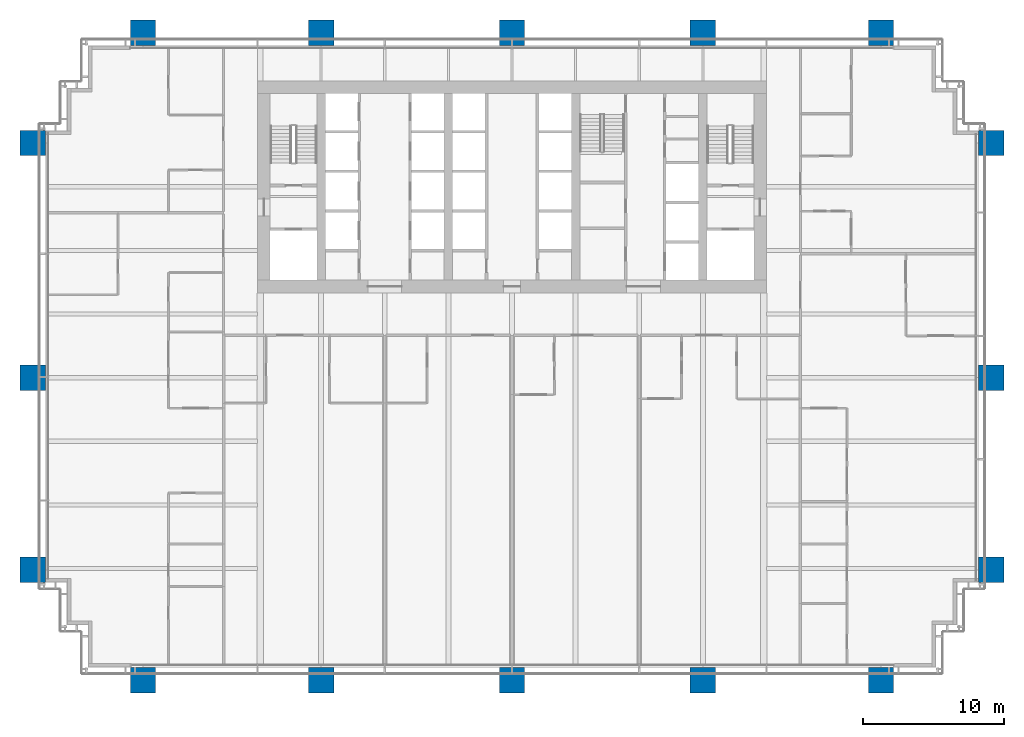
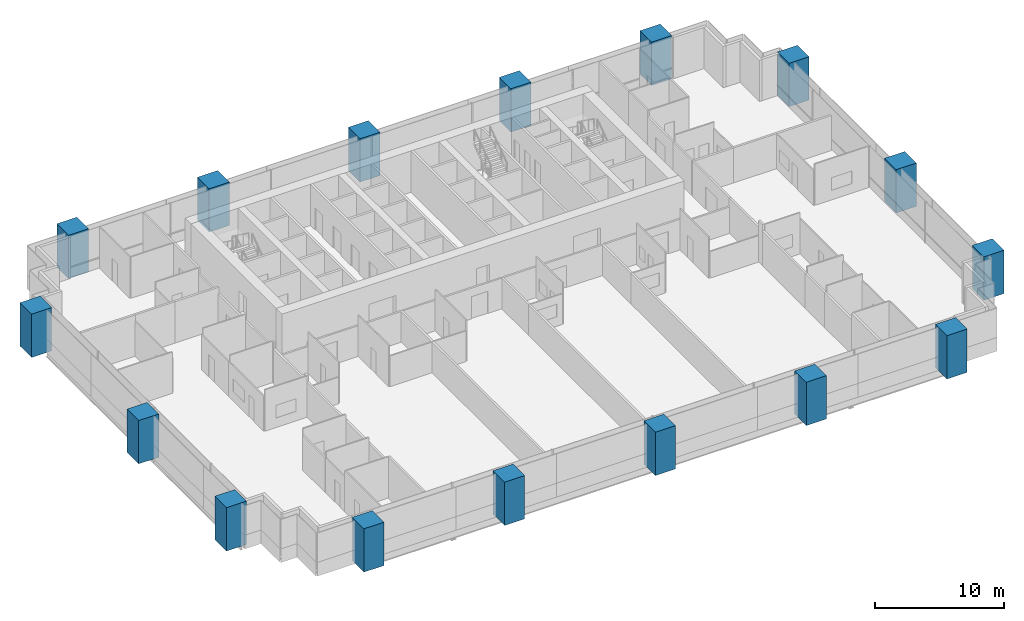
# One storey, part 1 of 20: 16 columns.
"""IFC4 building model written with IfcOpenShell, lengths in metres."""

from ifc_helpers import new_model, si_unit, direction, frame, origin, origin_2d, place, context, subcontext, project, spatial, rectangle, extrude, material, material_profile, profile_set, type_object, element, save


model = new_model("IFC4")

# Units and contexts
model_context = context("Model", 3, precision=1e-05, world=origin(), true_north=direction((0.0, 1.0)))
body_context = subcontext(model_context, "Body", "Model", "MODEL_VIEW")
ifc_project = project(units=[si_unit("LENGTHUNIT", "METRE"), si_unit("AREAUNIT", "SQUARE_METRE"), si_unit("VOLUMEUNIT", "CUBIC_METRE"), si_unit("PLANEANGLEUNIT", "RADIAN"), si_unit("MASSUNIT", "GRAM", prefix="KILO")], contexts=[model_context])

# Site, building, storey
site_placement = place(None, origin())
site = spatial("IfcSite", under=ifc_project, at=site_placement, CompositionType="ELEMENT")
building_placement = place(site_placement, origin())
building = spatial("IfcBuilding", under=site, at=building_placement, Name="Rattan Terrace Tower", CompositionType="ELEMENT")
storey_placement = place(building_placement, frame((0.0, 0.0, 40.60009765625)))
storey = spatial("IfcBuildingStorey", under=building, at=storey_placement, Name="L08", CompositionType="ELEMENT", Elevation=40.60009765625)

# Columns
ifc_material = material(Name="Concrete C60/75", Category="concrete")
ifc_material_profile = material_profile(ifc_material, rectangle(XDim=1.800048828125, YDim=1.800048828125, at=origin_2d()), Name="CFT 1800x1800")
ifc_profile_set = profile_set([ifc_material_profile], Name="Concrete C60/75")
column_type = type_object("IfcColumnType", Name="Frame exoskeleton column CFT 1800x1800", PredefinedType="COLUMN", material=ifc_profile_set)
for number, where, z_axis, x_axis, name in (
    (1, (-26.10009765625, -34.89990234375, -0.2001953125), (0.0, 0.0, 1.0), (1.0, 0.0, 0.0), "exo-L08-001"),
    (2, (-13.5, -34.89990234375, -0.2001953125), (0.0, 0.0, 1.0), (1.0, 0.0, 0.0), "exo-L08-002"),
    (3, (0.0, -34.89990234375, -0.2001953125), (0.0, 0.0, 1.0), (1.0, 0.0, 0.0), "exo-L08-003"),
    (4, (13.5, -34.89990234375, -0.2001953125), (0.0, 0.0, 1.0), (1.0, 0.0, 0.0), "exo-L08-004"),
    (5, (26.10009765625, -34.89990234375, -0.2001953125), (0.0, 0.0, 1.0), (1.0, 0.0, 0.0), "exo-L08-005"),
    (6, (-33.89990234375, -27.10009765625, -0.2001953125), (0.0, 0.0, 1.0), (0.0, 1.0, 0.0), "exo-L08-006"),
    (7, (33.89990234375, -27.10009765625, -0.2001953125), (0.0, 0.0, 1.0), (0.0, 1.0, 0.0), "exo-L08-007"),
    (8, (-33.89990234375, -13.5, -0.2001953125), (0.0, 0.0, 1.0), (0.0, 1.0, 0.0), "exo-L08-008"),
    (9, (33.89990234375, -13.5, -0.2001953125), (0.0, 0.0, 1.0), (0.0, 1.0, 0.0), "exo-L08-009"),
    (10, (-33.89990234375, 3.10009765625, -0.2001953125), (0.0, 0.0, 1.0), (0.0, 1.0, 0.0), "exo-L08-010"),
    (11, (33.89990234375, 3.10009765625, -0.2001953125), (0.0, 0.0, 1.0), (0.0, 1.0, 0.0), "exo-L08-011"),
    (12, (-26.10009765625, 10.89990234375, -0.2001953125), (0.0, 0.0, 1.0), (1.0, 0.0, 0.0), "exo-L08-012"),
    (13, (-13.5, 10.89990234375, -0.2001953125), (0.0, 0.0, 1.0), (1.0, 0.0, 0.0), "exo-L08-013"),
    (14, (0.0, 10.89990234375, -0.2001953125), (0.0, 0.0, 1.0), (1.0, 0.0, 0.0), "exo-L08-014"),
    (15, (13.5, 10.89990234375, -0.2001953125), (0.0, 0.0, 1.0), (1.0, 0.0, 0.0), "exo-L08-015"),
    (16, (26.10009765625, 10.89990234375, -0.2001953125), (0.0, 0.0, 1.0), (1.0, 0.0, 0.0), "exo-L08-016"),
):
    element("IfcColumn", number, at=place(storey_placement, frame(where, z_axis=z_axis, x_axis=x_axis)), inside=storey, type_object=column_type, Name=name, PredefinedType="COLUMN", context=body_context, shape_type="SweptSolid", body=[
        extrude(rectangle(XDim=1.800048828125, YDim=1.800048828125, at=origin_2d()), origin(), (0.0, 0.0, 1.0), 4.10009765625),
    ])

save(model, "model.ifc")
